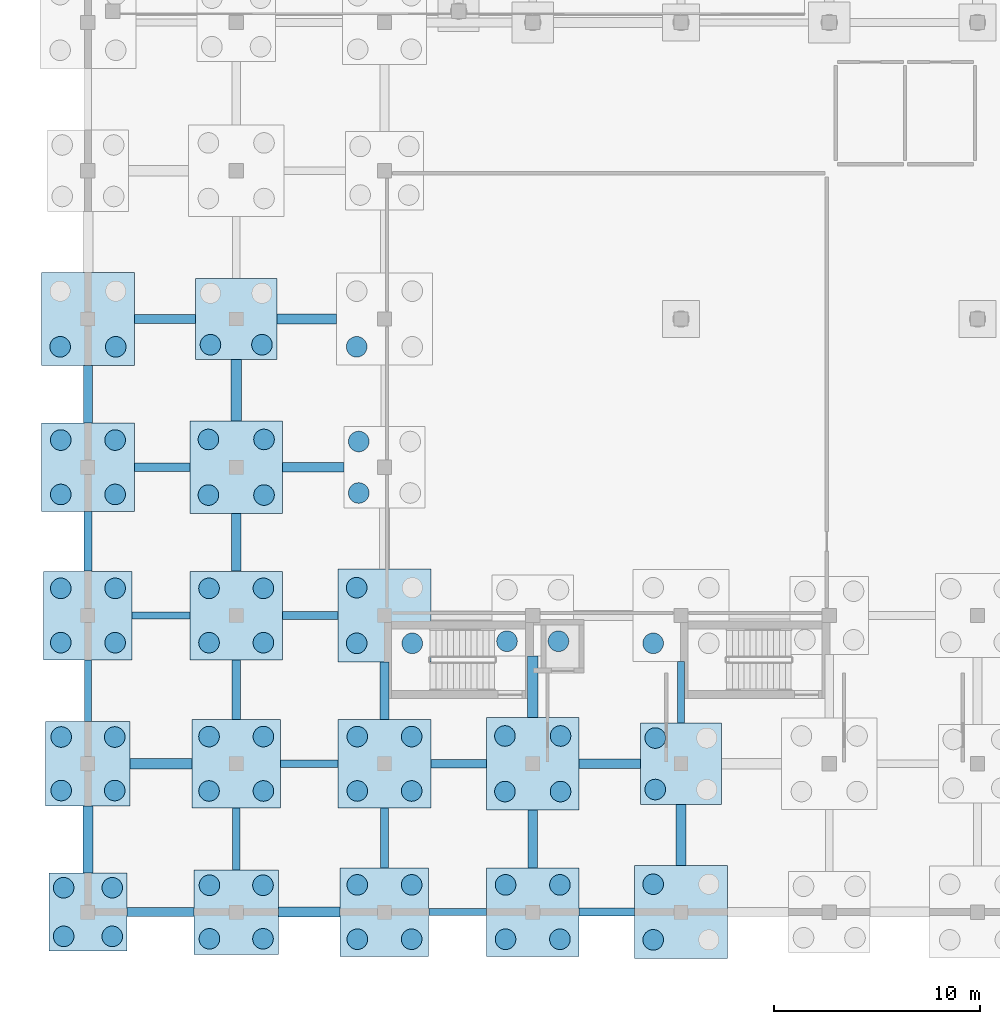
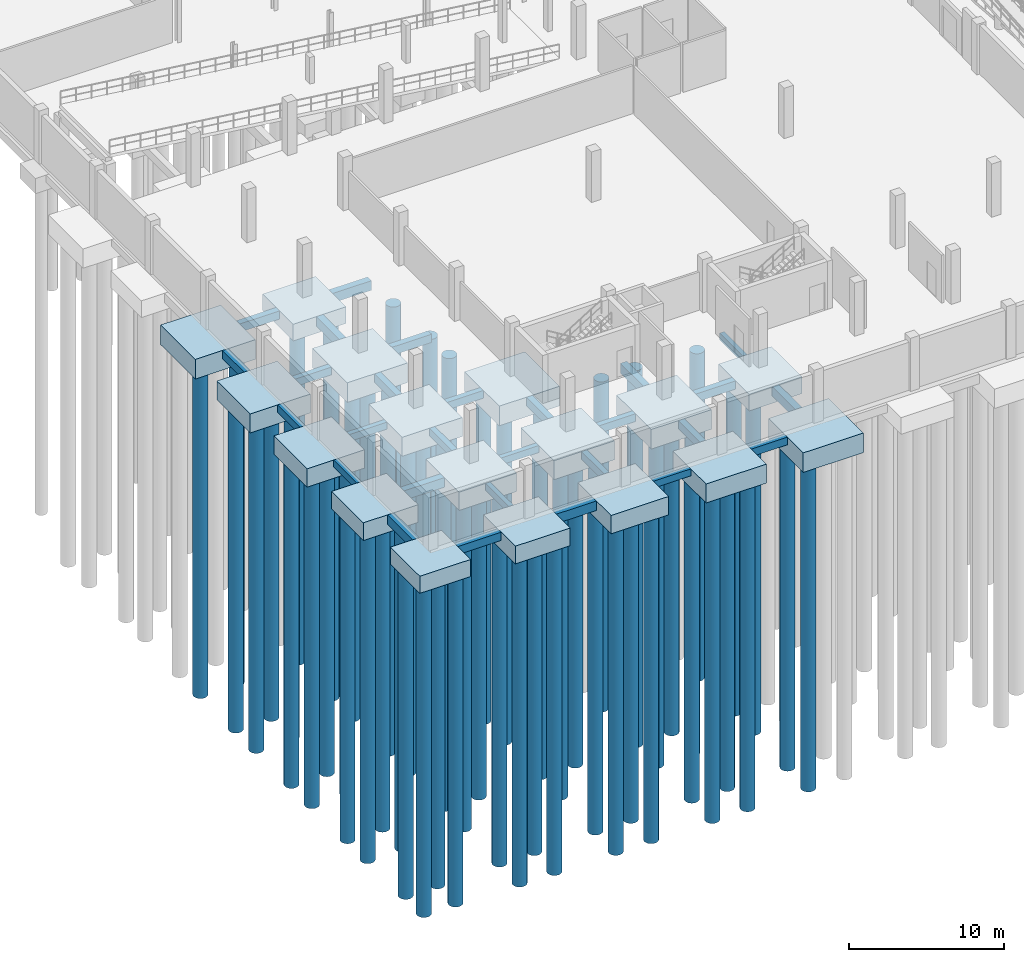
# One storey, part 1 of 56: 65 piles, 45 footings.
"""IFC4 building model written with IfcOpenShell, lengths in metres."""

from ifc_helpers import new_model, si_unit, direction, frame, origin, origin_2d, place, context, subcontext, project, spatial, rectangle, circle, extrude, material, material_profile, profile_set, type_object, element, save


model = new_model("IFC4")

# Units and contexts
model_context = context("Model", 3, precision=1e-05, world=origin(), true_north=direction((0.0, 1.0)))
body_context = subcontext(model_context, "Body", "Model", "MODEL_VIEW")
ifc_project = project(units=[si_unit("LENGTHUNIT", "METRE"), si_unit("AREAUNIT", "SQUARE_METRE"), si_unit("VOLUMEUNIT", "CUBIC_METRE"), si_unit("PLANEANGLEUNIT", "RADIAN"), si_unit("MASSUNIT", "GRAM", prefix="KILO")], contexts=[model_context])

# Site, building, storey
site_placement = place(None, origin())
site = spatial("IfcSite", under=ifc_project, at=site_placement, CompositionType="ELEMENT")
building_placement = place(site_placement, origin())
building = spatial("IfcBuilding", under=site, at=building_placement, Name="Suanplinth Sawtooth Commons", CompositionType="ELEMENT")
storey_placement = place(building_placement, frame((0.0, 0.0, -4.199951171875)))
storey = spatial("IfcBuildingStorey", under=building, at=storey_placement, Name="B1", CompositionType="ELEMENT", Elevation=-4.199951171875)

# Footings
ifc_material_1 = material(Name="Concrete C35/45", Category="concrete")
ifc_material_profile_1 = material_profile(ifc_material_1, rectangle(XDim=0.449951171875, YDim=0.64990234375, at=origin_2d()), Name="PC-GDR 450x650")
ifc_profile_set_1 = profile_set([ifc_material_profile_1], Name="Concrete C35/45")
footing_type_1 = type_object("IfcFootingType", Name="FB-01", PredefinedType="FOOTING_BEAM", material=ifc_profile_set_1)
footing_1_placement = place(storey_placement, frame((1.89990234375, 0.0, -0.824951171875), z_axis=(1.0, 0.0, 0.0), x_axis=(0.0, 1.0, 0.0)))
element("IfcFooting", 1, at=footing_1_placement, inside=storey, type_object=footing_type_1, Name="Foundation Tie Beam 1-2/A", PredefinedType="FOOTING_BEAM", context=body_context, shape_type="SweptSolid", body=[
    extrude(rectangle(XDim=0.449951171875, YDim=0.64990234375, at=origin_2d()), origin(), (0.0, 0.0, 1.0), 3.25),
])
footing_2_placement = place(storey_placement, frame((0.0, 23.75, -0.824951171875), z_axis=(0.0, 1.0, 0.0), x_axis=(-1.0, 0.0, 0.0)))
element("IfcFooting", 2, at=footing_2_placement, inside=storey, type_object=footing_type_1, Name="Foundation Tie Beam 1/D-E", PredefinedType="FOOTING_BEAM", context=body_context, shape_type="SweptSolid", body=[
    extrude(rectangle(XDim=0.449951171875, YDim=0.64990234375, at=origin_2d()), origin(), (0.0, 0.0, 1.0), 2.800048828125),
])
footing_3_placement = place(storey_placement, frame((2.25, 28.800048828125, -0.824951171875), z_axis=(1.0, 0.0, 0.0), x_axis=(0.0, 1.0, 0.0)))
element("IfcFooting", 3, at=footing_3_placement, inside=storey, type_object=footing_type_1, Name="Foundation Tie Beam 1-2/E", PredefinedType="FOOTING_BEAM", context=body_context, shape_type="SweptSolid", body=[
    extrude(rectangle(XDim=0.449951171875, YDim=0.64990234375, at=origin_2d()), origin(), (0.0, 0.0, 1.0), 2.97509765625),
])
footing_4_placement = place(storey_placement, frame((7.199951171875, 16.550048828125, -0.824951171875), z_axis=(0.0, 1.0, 0.0), x_axis=(-1.0, 0.0, 0.0)))
element("IfcFooting", 4, at=footing_4_placement, inside=storey, type_object=footing_type_1, Name="Foundation Tie Beam 2/C-D", PredefinedType="FOOTING_BEAM", context=body_context, shape_type="SweptSolid", body=[
    extrude(rectangle(XDim=0.449951171875, YDim=0.64990234375, at=origin_2d()), origin(), (0.0, 0.0, 1.0), 2.800048828125),
])
footing_5_placement = place(storey_placement, frame((9.449951171875, 21.60009765625, -0.824951171875), z_axis=(1.0, 0.0, 0.0), x_axis=(0.0, 1.0, 0.0)))
element("IfcFooting", 5, at=footing_5_placement, inside=storey, type_object=footing_type_1, Name="Foundation Tie Beam 2-3/D", PredefinedType="FOOTING_BEAM", context=body_context, shape_type="SweptSolid", body=[
    extrude(rectangle(XDim=0.449951171875, YDim=0.64990234375, at=origin_2d()), origin(), (0.0, 0.0, 1.0), 2.97509765625),
])
footing_6_placement = place(storey_placement, frame((14.39990234375, 9.35009765625, -0.824951171875), z_axis=(0.0, 1.0, 0.0), x_axis=(-1.0, 0.0, 0.0)))
element("IfcFooting", 6, at=footing_6_placement, inside=storey, type_object=footing_type_1, Name="Foundation Tie Beam 3/B-C", PredefinedType="FOOTING_BEAM", context=body_context, shape_type="SweptSolid", body=[
    extrude(rectangle(XDim=0.449951171875, YDim=0.64990234375, at=origin_2d()), origin(), (0.0, 0.0, 1.0), 2.7998046875),
])
footing_7_placement = place(storey_placement, frame((21.60009765625, 2.14990234375, -0.824951171875), z_axis=(0.0, 1.0, 0.0), x_axis=(-1.0, 0.0, 0.0)))
element("IfcFooting", 7, at=footing_7_placement, inside=storey, type_object=footing_type_1, Name="Foundation Tie Beam 4/A-B", PredefinedType="FOOTING_BEAM", context=body_context, shape_type="SweptSolid", body=[
    extrude(rectangle(XDim=0.449951171875, YDim=0.64990234375, at=origin_2d()), origin(), (0.0, 0.0, 1.0), 2.800048828125),
])
footing_8_placement = place(storey_placement, frame((23.85009765625, 7.199951171875, -0.824951171875), z_axis=(1.0, 0.0, 0.0), x_axis=(0.0, 1.0, 0.0)))
element("IfcFooting", 8, at=footing_8_placement, inside=storey, type_object=footing_type_1, Name="Foundation Tie Beam 4-5/B", PredefinedType="FOOTING_BEAM", context=body_context, shape_type="SweptSolid", body=[
    extrude(rectangle(XDim=0.449951171875, YDim=0.64990234375, at=origin_2d()), origin(), (0.0, 0.0, 1.0), 2.974853515625),
])
ifc_material_profile_2 = material_profile(ifc_material_1, rectangle(XDim=0.5, YDim=0.75, at=origin_2d()), Name="RC-GDR 500x750")
ifc_profile_set_2 = profile_set([ifc_material_profile_2], Name="Concrete C35/45")
footing_type_2 = type_object("IfcFootingType", Name="FB-02", PredefinedType="FOOTING_BEAM", material=ifc_profile_set_2)
footing_9_placement = place(storey_placement, frame((0.0, 1.89990234375, -0.875), z_axis=(0.0, 1.0, 0.0), x_axis=(-1.0, 0.0, 0.0)))
element("IfcFooting", 9, at=footing_9_placement, inside=storey, type_object=footing_type_2, Name="Foundation Tie Beam 1/A-B", PredefinedType="FOOTING_BEAM", context=body_context, shape_type="SweptSolid", body=[
    extrude(rectangle(XDim=0.5, YDim=0.75, at=origin_2d()), origin(), (0.0, 0.0, 1.0), 3.25),
])
for number, where, z_axis, x_axis, name in (
    (10, (2.050048828125, 7.199951171875, -0.875), (1.0, 0.0, 0.0), (0.0, 1.0, 0.0), "Foundation Tie Beam 1-2/B"),
    (11, (9.25, 0.0, -0.875), (1.0, 0.0, 0.0), (0.0, 1.0, 0.0), "Foundation Tie Beam 2-3/A"),
):
    element("IfcFooting", number, at=place(storey_placement, frame(where, z_axis=z_axis, x_axis=x_axis)), inside=storey, type_object=footing_type_2, Name=name, PredefinedType="FOOTING_BEAM", context=body_context, shape_type="SweptSolid", body=[
        extrude(rectangle(XDim=0.5, YDim=0.75, at=origin_2d()), origin(), (0.0, 0.0, 1.0), 3.0),
    ])
footing_10_placement = place(storey_placement, frame((7.199951171875, 23.85009765625, -0.875), z_axis=(0.0, 1.0, 0.0), x_axis=(-1.0, 0.0, 0.0)))
element("IfcFooting", 12, at=footing_10_placement, inside=storey, type_object=footing_type_2, Name="Foundation Tie Beam 2/D-E", PredefinedType="FOOTING_BEAM", context=body_context, shape_type="SweptSolid", body=[
    extrude(rectangle(XDim=0.5, YDim=0.75, at=origin_2d()), origin(), (0.0, 0.0, 1.0), 2.974853515625),
])
footing_11_placement = place(storey_placement, frame((9.175048828125, 28.800048828125, -0.875), z_axis=(1.0, 0.0, 0.0), x_axis=(0.0, 1.0, 0.0)))
element("IfcFooting", 13, at=footing_11_placement, inside=storey, type_object=footing_type_2, Name="Foundation Tie Beam 2-3/E", PredefinedType="FOOTING_BEAM", context=body_context, shape_type="SweptSolid", body=[
    extrude(rectangle(XDim=0.5, YDim=0.75, at=origin_2d()), origin(), (0.0, 0.0, 1.0), 2.89990234375),
])
for number, where, z_axis, x_axis, name in (
    (14, (21.60009765625, 9.449951171875, -0.875), (0.0, 1.0, 0.0), (-1.0, 0.0, 0.0), "Foundation Tie Beam 4/B-C"),
    (15, (28.800048828125, 2.25, -0.875), (0.0, 1.0, 0.0), (-1.0, 0.0, 0.0), "Foundation Tie Beam 5/A-B"),
):
    element("IfcFooting", number, at=place(storey_placement, frame(where, z_axis=z_axis, x_axis=x_axis)), inside=storey, type_object=footing_type_2, Name=name, PredefinedType="FOOTING_BEAM", context=body_context, shape_type="SweptSolid", body=[
        extrude(rectangle(XDim=0.5, YDim=0.75, at=origin_2d()), origin(), (0.0, 0.0, 1.0), 2.97509765625),
    ])
ifc_material_profile_3 = material_profile(ifc_material_1, rectangle(XDim=0.35009765625, YDim=0.550048828125, at=origin_2d()), Name="PC-BM 350x550")
ifc_profile_set_3 = profile_set([ifc_material_profile_3], Name="Concrete C35/45")
footing_type_3 = type_object("IfcFootingType", Name="FB-03", PredefinedType="FOOTING_BEAM", material=ifc_profile_set_3)
footing_12_placement = place(storey_placement, frame((0.0, 9.25, -0.775146484375), z_axis=(0.0, 1.0, 0.0), x_axis=(-1.0, 0.0, 0.0)))
element("IfcFooting", 16, at=footing_12_placement, inside=storey, type_object=footing_type_3, Name="Foundation Tie Beam 1/B-C", PredefinedType="FOOTING_BEAM", context=body_context, shape_type="SweptSolid", body=[
    extrude(rectangle(XDim=0.35009765625, YDim=0.550048828125, at=origin_2d()), origin(), (0.0, 0.0, 1.0), 3.0),
])
footing_13_placement = place(storey_placement, frame((2.14990234375, 14.39990234375, -0.775146484375), z_axis=(1.0, 0.0, 0.0), x_axis=(0.0, 1.0, 0.0)))
element("IfcFooting", 17, at=footing_13_placement, inside=storey, type_object=footing_type_3, Name="Foundation Tie Beam 1-2/C", PredefinedType="FOOTING_BEAM", context=body_context, shape_type="SweptSolid", body=[
    extrude(rectangle(XDim=0.35009765625, YDim=0.550048828125, at=origin_2d()), origin(), (0.0, 0.0, 1.0), 2.800048828125),
])
footing_14_placement = place(storey_placement, frame((7.199951171875, 2.050048828125, -0.775146484375), z_axis=(0.0, 1.0, 0.0), x_axis=(-1.0, 0.0, 0.0)))
element("IfcFooting", 18, at=footing_14_placement, inside=storey, type_object=footing_type_3, Name="Foundation Tie Beam 2/A-B", PredefinedType="FOOTING_BEAM", context=body_context, shape_type="SweptSolid", body=[
    extrude(rectangle(XDim=0.35009765625, YDim=0.550048828125, at=origin_2d()), origin(), (0.0, 0.0, 1.0), 3.0),
])
footing_15_placement = place(storey_placement, frame((9.35009765625, 7.199951171875, -0.775146484375), z_axis=(1.0, 0.0, 0.0), x_axis=(0.0, 1.0, 0.0)))
element("IfcFooting", 19, at=footing_15_placement, inside=storey, type_object=footing_type_3, Name="Foundation Tie Beam 2-3/B", PredefinedType="FOOTING_BEAM", context=body_context, shape_type="SweptSolid", body=[
    extrude(rectangle(XDim=0.35009765625, YDim=0.550048828125, at=origin_2d()), origin(), (0.0, 0.0, 1.0), 2.7998046875),
])
footing_16_placement = place(storey_placement, frame((16.550048828125, 0.0, -0.775146484375), z_axis=(1.0, 0.0, 0.0), x_axis=(0.0, 1.0, 0.0)))
element("IfcFooting", 20, at=footing_16_placement, inside=storey, type_object=footing_type_3, Name="Foundation Tie Beam 3-4/A", PredefinedType="FOOTING_BEAM", context=body_context, shape_type="SweptSolid", body=[
    extrude(rectangle(XDim=0.35009765625, YDim=0.550048828125, at=origin_2d()), origin(), (0.0, 0.0, 1.0), 2.800048828125),
])
footing_17_placement = place(storey_placement, frame((28.800048828125, 9.175048828125, -0.775146484375), z_axis=(0.0, 1.0, 0.0), x_axis=(-1.0, 0.0, 0.0)))
element("IfcFooting", 21, at=footing_17_placement, inside=storey, type_object=footing_type_3, Name="Foundation Tie Beam 5/B-C", PredefinedType="FOOTING_BEAM", context=body_context, shape_type="SweptSolid", body=[
    extrude(rectangle(XDim=0.35009765625, YDim=0.550048828125, at=origin_2d()), origin(), (0.0, 0.0, 1.0), 3.0),
])
ifc_material_profile_4 = material_profile(ifc_material_1, rectangle(XDim=0.39990234375, YDim=0.60009765625, at=origin_2d()), Name="PC-GDR 400x600")
ifc_profile_set_4 = profile_set([ifc_material_profile_4], Name="Concrete C35/45")
footing_type_4 = type_object("IfcFootingType", Name="FB-04", PredefinedType="FOOTING_BEAM", material=ifc_profile_set_4)
footing_18_placement = place(storey_placement, frame((0.0, 16.550048828125, -0.800048828125), z_axis=(0.0, 1.0, 0.0), x_axis=(-1.0, 0.0, 0.0)))
element("IfcFooting", 22, at=footing_18_placement, inside=storey, type_object=footing_type_4, Name="Foundation Tie Beam 1/C-D", PredefinedType="FOOTING_BEAM", context=body_context, shape_type="SweptSolid", body=[
    extrude(rectangle(XDim=0.39990234375, YDim=0.60009765625, at=origin_2d()), origin(), (0.0, 0.0, 1.0), 2.89990234375),
])
footing_19_placement = place(storey_placement, frame((2.25, 21.60009765625, -0.800048828125), z_axis=(1.0, 0.0, 0.0), x_axis=(0.0, 1.0, 0.0)))
element("IfcFooting", 23, at=footing_19_placement, inside=storey, type_object=footing_type_4, Name="Foundation Tie Beam 1-2/D", PredefinedType="FOOTING_BEAM", context=body_context, shape_type="SweptSolid", body=[
    extrude(rectangle(XDim=0.39990234375, YDim=0.60009765625, at=origin_2d()), origin(), (0.0, 0.0, 1.0), 2.699951171875),
])
footing_20_placement = place(storey_placement, frame((7.199951171875, 9.35009765625, -0.800048828125), z_axis=(0.0, 1.0, 0.0), x_axis=(-1.0, 0.0, 0.0)))
element("IfcFooting", 24, at=footing_20_placement, inside=storey, type_object=footing_type_4, Name="Foundation Tie Beam 2/B-C", PredefinedType="FOOTING_BEAM", context=body_context, shape_type="SweptSolid", body=[
    extrude(rectangle(XDim=0.39990234375, YDim=0.60009765625, at=origin_2d()), origin(), (0.0, 0.0, 1.0), 2.89990234375),
])
footing_21_placement = place(storey_placement, frame((9.449951171875, 14.39990234375, -0.800048828125), z_axis=(1.0, 0.0, 0.0), x_axis=(0.0, 1.0, 0.0)))
element("IfcFooting", 25, at=footing_21_placement, inside=storey, type_object=footing_type_4, Name="Foundation Tie Beam 2-3/C", PredefinedType="FOOTING_BEAM", context=body_context, shape_type="SweptSolid", body=[
    extrude(rectangle(XDim=0.39990234375, YDim=0.60009765625, at=origin_2d()), origin(), (0.0, 0.0, 1.0), 2.699951171875),
])
footing_22_placement = place(storey_placement, frame((14.39990234375, 2.14990234375, -0.800048828125), z_axis=(0.0, 1.0, 0.0), x_axis=(-1.0, 0.0, 0.0)))
element("IfcFooting", 26, at=footing_22_placement, inside=storey, type_object=footing_type_4, Name="Foundation Tie Beam 3/A-B", PredefinedType="FOOTING_BEAM", context=body_context, shape_type="SweptSolid", body=[
    extrude(rectangle(XDim=0.39990234375, YDim=0.60009765625, at=origin_2d()), origin(), (0.0, 0.0, 1.0), 2.900146484375),
])
footing_23_placement = place(storey_placement, frame((16.64990234375, 7.199951171875, -0.800048828125), z_axis=(1.0, 0.0, 0.0), x_axis=(0.0, 1.0, 0.0)))
element("IfcFooting", 27, at=footing_23_placement, inside=storey, type_object=footing_type_4, Name="Foundation Tie Beam 3-4/B", PredefinedType="FOOTING_BEAM", context=body_context, shape_type="SweptSolid", body=[
    extrude(rectangle(XDim=0.39990234375, YDim=0.60009765625, at=origin_2d()), origin(), (0.0, 0.0, 1.0), 2.7001953125),
])
footing_24_placement = place(storey_placement, frame((23.85009765625, 0.0, -0.800048828125), z_axis=(1.0, 0.0, 0.0), x_axis=(0.0, 1.0, 0.0)))
element("IfcFooting", 28, at=footing_24_placement, inside=storey, type_object=footing_type_4, Name="Foundation Tie Beam 4-5/A", PredefinedType="FOOTING_BEAM", context=body_context, shape_type="SweptSolid", body=[
    extrude(rectangle(XDim=0.39990234375, YDim=0.60009765625, at=origin_2d()), origin(), (0.0, 0.0, 1.0), 2.699951171875),
])
footing_type_5 = type_object("IfcFootingType", Name="FC-06", PredefinedType="PILE_CAP", material=ifc_material_1)
footing_25_placement = place(storey_placement, frame((0.0, 0.0, -1.85009765625), z_axis=(0.0, 0.0, 1.0), x_axis=(1.0, 0.0, 0.0)))
element("IfcFooting", 29, at=footing_25_placement, inside=storey, type_object=footing_type_5, Name="Pile Cap 1/A", PredefinedType="PILE_CAP", context=body_context, shape_type="SweptSolid", body=[
    extrude(rectangle(XDim=3.800048828125, YDim=3.800048828125, at=origin_2d()), origin(), (0.0, 0.0, 1.0), 1.35009765625),
])
footing_type_6 = type_object("IfcFootingType", Name="FC-07", PredefinedType="PILE_CAP", material=ifc_material_1)
for number, where, z_axis, x_axis, name in (
    (30, (0.0, 7.199951171875, -1.89990234375), (0.0, 0.0, 1.0), (1.0, 0.0, 0.0), "Pile Cap 1/B"),
    (31, (7.199951171875, 0.0, -1.89990234375), (0.0, 0.0, 1.0), (1.0, 0.0, 0.0), "Pile Cap 2/A"),
):
    element("IfcFooting", number, at=place(storey_placement, frame(where, z_axis=z_axis, x_axis=x_axis)), inside=storey, type_object=footing_type_6, Name=name, PredefinedType="PILE_CAP", context=body_context, shape_type="SweptSolid", body=[
        extrude(rectangle(XDim=4.10009765625, YDim=4.10009765625, at=origin_2d()), origin(), (0.0, 0.0, 1.0), 1.39990234375),
    ])
footing_type_7 = type_object("IfcFootingType", Name="FC-08", PredefinedType="PILE_CAP", material=ifc_material_1)
for number, where, z_axis, x_axis, name in (
    (32, (0.0, 14.39990234375, -1.9501953125), (0.0, 0.0, 1.0), (1.0, 0.0, 0.0), "Pile Cap 1/C"),
    (33, (7.199951171875, 7.199951171875, -1.9501953125), (0.0, 0.0, 1.0), (1.0, 0.0, 0.0), "Pile Cap 2/B"),
    (34, (14.39990234375, 0.0, -1.9501953125), (0.0, 0.0, 1.0), (1.0, 0.0, 0.0), "Pile Cap 3/A"),
):
    element("IfcFooting", number, at=place(storey_placement, frame(where, z_axis=z_axis, x_axis=x_axis)), inside=storey, type_object=footing_type_7, Name=name, PredefinedType="PILE_CAP", context=body_context, shape_type="SweptSolid", body=[
        extrude(rectangle(XDim=4.300048828125, YDim=4.300048828125, at=origin_2d()), origin(), (0.0, 0.0, 1.0), 1.449951171875),
    ])
footing_type_8 = type_object("IfcFootingType", Name="FC-09", PredefinedType="PILE_CAP", material=ifc_material_1)
for number, where, z_axis, x_axis, name in (
    (35, (0.0, 21.60009765625, -2.0), (0.0, 0.0, 1.0), (1.0, 0.0, 0.0), "Pile Cap 1/D"),
    (36, (7.199951171875, 14.39990234375, -2.0), (0.0, 0.0, 1.0), (1.0, 0.0, 0.0), "Pile Cap 2/C"),
    (37, (14.39990234375, 7.199951171875, -2.0), (0.0, 0.0, 1.0), (1.0, 0.0, 0.0), "Pile Cap 3/B"),
    (38, (21.60009765625, 0.0, -2.0), (0.0, 0.0, 1.0), (1.0, 0.0, 0.0), "Pile Cap 4/A"),
):
    element("IfcFooting", number, at=place(storey_placement, frame(where, z_axis=z_axis, x_axis=x_axis)), inside=storey, type_object=footing_type_8, Name=name, PredefinedType="PILE_CAP", context=body_context, shape_type="SweptSolid", body=[
        extrude(rectangle(XDim=4.5, YDim=4.300048828125, at=origin_2d()), origin(), (0.0, 0.0, 1.0), 1.5),
    ])
footing_type_9 = type_object("IfcFootingType", Name="FC-10", PredefinedType="PILE_CAP", material=ifc_material_1)
for number, where, z_axis, x_axis, name in (
    (39, (0.0, 28.800048828125, -2.05029296875), (0.0, 0.0, 1.0), (1.0, 0.0, 0.0), "Pile Cap 1/E"),
    (40, (7.199951171875, 21.60009765625, -2.05029296875), (0.0, 0.0, 1.0), (1.0, 0.0, 0.0), "Pile Cap 2/D"),
    (41, (14.39990234375, 14.39990234375, -2.05029296875), (0.0, 0.0, 1.0), (1.0, 0.0, 0.0), "Pile Cap 3/C"),
    (42, (21.60009765625, 7.199951171875, -2.05029296875), (0.0, 0.0, 1.0), (1.0, 0.0, 0.0), "Pile Cap 4/B"),
    (43, (28.800048828125, 0.0, -2.05029296875), (0.0, 0.0, 1.0), (1.0, 0.0, 0.0), "Pile Cap 5/A"),
):
    element("IfcFooting", number, at=place(storey_placement, frame(where, z_axis=z_axis, x_axis=x_axis)), inside=storey, type_object=footing_type_9, Name=name, PredefinedType="PILE_CAP", context=body_context, shape_type="SweptSolid", body=[
        extrude(rectangle(XDim=4.5, YDim=4.5, at=origin_2d()), origin(), (0.0, 0.0, 1.0), 1.550048828125),
    ])
footing_type_10 = type_object("IfcFootingType", Name="FC-15", PredefinedType="PILE_CAP", material=ifc_material_1)
for number, where, z_axis, x_axis, name in (
    (44, (7.199951171875, 28.800048828125, -1.8203125), (0.0, 0.0, 1.0), (1.0, 0.0, 0.0), "Pile Cap 2/E"),
    (45, (28.800048828125, 7.199951171875, -1.8203125), (0.0, 0.0, 1.0), (1.0, 0.0, 0.0), "Pile Cap 5/B"),
):
    element("IfcFooting", number, at=place(storey_placement, frame(where, z_axis=z_axis, x_axis=x_axis)), inside=storey, type_object=footing_type_10, Name=name, PredefinedType="PILE_CAP", context=body_context, shape_type="SweptSolid", body=[
        extrude(rectangle(XDim=3.949951171875, YDim=3.949951171875, at=origin_2d()), origin(), (0.0, 0.0, 1.0), 1.320068359375),
    ])

# Piles
ifc_material_2 = material(Name="Concrete C32/40", Category="concrete")
ifc_material_profile_5 = material_profile(ifc_material_2, circle(Radius=0.5, at=origin_2d()), Name="PILE D1000")
ifc_profile_set_5 = profile_set([ifc_material_profile_5], Name="Concrete C32/40")
pile_type = type_object("IfcPileType", Name="P-02", PredefinedType="BORED", material=ifc_profile_set_5)
for number, where, z_axis, x_axis, name in (
    (46, (-1.179931640625, -1.179931640625, -1.75), (0.0, 0.0, -1.0), (1.0, 0.0, 0.0), "Bored Pile 1/A-1"),
    (47, (1.179931640625, -1.179931640625, -1.75), (0.0, 0.0, -1.0), (1.0, 0.0, 0.0), "Bored Pile 1/A-2"),
    (48, (-1.179931640625, 1.179931640625, -1.75), (0.0, 0.0, -1.0), (1.0, 0.0, 0.0), "Bored Pile 1/A-3"),
    (49, (1.179931640625, 1.179931640625, -1.75), (0.0, 0.0, -1.0), (1.0, 0.0, 0.0), "Bored Pile 1/A-4"),
):
    element("IfcPile", number, at=place(storey_placement, frame(where, z_axis=z_axis, x_axis=x_axis)), inside=storey, type_object=pile_type, Name=name, PredefinedType="BORED", context=body_context, shape_type="SweptSolid", body=[
        extrude(circle(Radius=0.5, at=origin_2d()), origin(), (0.0, 0.0, 1.0), 26.050048828125),
    ])
for number, where, z_axis, x_axis, name in (
    (50, (-1.300048828125, 5.89990234375, -1.800048828125), (0.0, 0.0, -1.0), (1.0, 0.0, 0.0), "Bored Pile 1/B-1"),
    (51, (1.300048828125, 5.89990234375, -1.800048828125), (0.0, 0.0, -1.0), (1.0, 0.0, 0.0), "Bored Pile 1/B-2"),
    (52, (-1.300048828125, 8.5, -1.800048828125), (0.0, 0.0, -1.0), (1.0, 0.0, 0.0), "Bored Pile 1/B-3"),
    (53, (1.300048828125, 8.5, -1.800048828125), (0.0, 0.0, -1.0), (1.0, 0.0, 0.0), "Bored Pile 1/B-4"),
):
    element("IfcPile", number, at=place(storey_placement, frame(where, z_axis=z_axis, x_axis=x_axis)), inside=storey, type_object=pile_type, Name=name, PredefinedType="BORED", context=body_context, shape_type="SweptSolid", body=[
        extrude(circle(Radius=0.5, at=origin_2d()), origin(), (0.0, 0.0, 1.0), 26.0),
    ])
for number, where, z_axis, x_axis, name in (
    (54, (-1.320068359375, 13.080078125, -1.85009765625), (0.0, 0.0, -1.0), (1.0, 0.0, 0.0), "Bored Pile 1/C-1"),
    (55, (1.320068359375, 13.080078125, -1.85009765625), (0.0, 0.0, -1.0), (1.0, 0.0, 0.0), "Bored Pile 1/C-2"),
    (56, (-1.320068359375, 15.719970703125, -1.85009765625), (0.0, 0.0, -1.0), (1.0, 0.0, 0.0), "Bored Pile 1/C-3"),
    (57, (1.320068359375, 15.719970703125, -1.85009765625), (0.0, 0.0, -1.0), (1.0, 0.0, 0.0), "Bored Pile 1/C-4"),
):
    element("IfcPile", number, at=place(storey_placement, frame(where, z_axis=z_axis, x_axis=x_axis)), inside=storey, type_object=pile_type, Name=name, PredefinedType="BORED", context=body_context, shape_type="SweptSolid", body=[
        extrude(circle(Radius=0.5, at=origin_2d()), origin(), (0.0, 0.0, 1.0), 25.949951171875),
    ])
for number, where, z_axis, x_axis, name in (
    (58, (-1.320068359375, 20.280029296875, -1.900146484375), (0.0, 0.0, -1.0), (1.0, 0.0, 0.0), "Bored Pile 1/D-1"),
    (59, (1.320068359375, 20.280029296875, -1.900146484375), (0.0, 0.0, -1.0), (1.0, 0.0, 0.0), "Bored Pile 1/D-2"),
    (60, (-1.320068359375, 22.919921875, -1.900146484375), (0.0, 0.0, -1.0), (1.0, 0.0, 0.0), "Bored Pile 1/D-3"),
    (61, (1.320068359375, 22.919921875, -1.900146484375), (0.0, 0.0, -1.0), (1.0, 0.0, 0.0), "Bored Pile 1/D-4"),
):
    element("IfcPile", number, at=place(storey_placement, frame(where, z_axis=z_axis, x_axis=x_axis)), inside=storey, type_object=pile_type, Name=name, PredefinedType="BORED", context=body_context, shape_type="SweptSolid", body=[
        extrude(circle(Radius=0.5, at=origin_2d()), origin(), (0.0, 0.0, 1.0), 25.89990234375),
    ])
for number, where, z_axis, x_axis, name in (
    (62, (-1.35009765625, 27.449951171875, -1.949951171875), (0.0, 0.0, -1.0), (1.0, 0.0, 0.0), "Bored Pile 1/E-1"),
    (63, (1.35009765625, 27.449951171875, -1.949951171875), (0.0, 0.0, -1.0), (1.0, 0.0, 0.0), "Bored Pile 1/E-2"),
):
    element("IfcPile", number, at=place(storey_placement, frame(where, z_axis=z_axis, x_axis=x_axis)), inside=storey, type_object=pile_type, Name=name, PredefinedType="BORED", context=body_context, shape_type="SweptSolid", body=[
        extrude(circle(Radius=0.5, at=origin_2d()), origin(), (0.0, 0.0, 1.0), 25.85009765625),
    ])
for number, where, z_axis, x_axis, name in (
    (64, (5.89990234375, -1.300048828125, -1.800048828125), (0.0, 0.0, -1.0), (1.0, 0.0, 0.0), "Bored Pile 2/A-1"),
    (65, (8.5, -1.300048828125, -1.800048828125), (0.0, 0.0, -1.0), (1.0, 0.0, 0.0), "Bored Pile 2/A-2"),
    (66, (5.89990234375, 1.300048828125, -1.800048828125), (0.0, 0.0, -1.0), (1.0, 0.0, 0.0), "Bored Pile 2/A-3"),
    (67, (8.5, 1.300048828125, -1.800048828125), (0.0, 0.0, -1.0), (1.0, 0.0, 0.0), "Bored Pile 2/A-4"),
):
    element("IfcPile", number, at=place(storey_placement, frame(where, z_axis=z_axis, x_axis=x_axis)), inside=storey, type_object=pile_type, Name=name, PredefinedType="BORED", context=body_context, shape_type="SweptSolid", body=[
        extrude(circle(Radius=0.5, at=origin_2d()), origin(), (0.0, 0.0, 1.0), 26.0),
    ])
for number, where, z_axis, x_axis, name in (
    (68, (5.8798828125, 5.8798828125, -1.85009765625), (0.0, 0.0, -1.0), (1.0, 0.0, 0.0), "Bored Pile 2/B-1"),
    (69, (8.52001953125, 5.8798828125, -1.85009765625), (0.0, 0.0, -1.0), (1.0, 0.0, 0.0), "Bored Pile 2/B-2"),
    (70, (5.8798828125, 8.52001953125, -1.85009765625), (0.0, 0.0, -1.0), (1.0, 0.0, 0.0), "Bored Pile 2/B-3"),
    (71, (8.52001953125, 8.52001953125, -1.85009765625), (0.0, 0.0, -1.0), (1.0, 0.0, 0.0), "Bored Pile 2/B-4"),
):
    element("IfcPile", number, at=place(storey_placement, frame(where, z_axis=z_axis, x_axis=x_axis)), inside=storey, type_object=pile_type, Name=name, PredefinedType="BORED", context=body_context, shape_type="SweptSolid", body=[
        extrude(circle(Radius=0.5, at=origin_2d()), origin(), (0.0, 0.0, 1.0), 25.949951171875),
    ])
for number, where, z_axis, x_axis, name in (
    (72, (5.8798828125, 13.080078125, -1.900146484375), (0.0, 0.0, -1.0), (1.0, 0.0, 0.0), "Bored Pile 2/C-1"),
    (73, (8.52001953125, 13.080078125, -1.900146484375), (0.0, 0.0, -1.0), (1.0, 0.0, 0.0), "Bored Pile 2/C-2"),
    (74, (5.8798828125, 15.719970703125, -1.900146484375), (0.0, 0.0, -1.0), (1.0, 0.0, 0.0), "Bored Pile 2/C-3"),
    (75, (8.52001953125, 15.719970703125, -1.900146484375), (0.0, 0.0, -1.0), (1.0, 0.0, 0.0), "Bored Pile 2/C-4"),
):
    element("IfcPile", number, at=place(storey_placement, frame(where, z_axis=z_axis, x_axis=x_axis)), inside=storey, type_object=pile_type, Name=name, PredefinedType="BORED", context=body_context, shape_type="SweptSolid", body=[
        extrude(circle(Radius=0.5, at=origin_2d()), origin(), (0.0, 0.0, 1.0), 25.89990234375),
    ])
for number, where, z_axis, x_axis, name in (
    (76, (5.85009765625, 20.25, -1.949951171875), (0.0, 0.0, -1.0), (1.0, 0.0, 0.0), "Bored Pile 2/D-1"),
    (77, (8.550048828125, 20.25, -1.949951171875), (0.0, 0.0, -1.0), (1.0, 0.0, 0.0), "Bored Pile 2/D-2"),
    (78, (5.85009765625, 22.949951171875, -1.949951171875), (0.0, 0.0, -1.0), (1.0, 0.0, 0.0), "Bored Pile 2/D-3"),
    (79, (8.550048828125, 22.949951171875, -1.949951171875), (0.0, 0.0, -1.0), (1.0, 0.0, 0.0), "Bored Pile 2/D-4"),
):
    element("IfcPile", number, at=place(storey_placement, frame(where, z_axis=z_axis, x_axis=x_axis)), inside=storey, type_object=pile_type, Name=name, PredefinedType="BORED", context=body_context, shape_type="SweptSolid", body=[
        extrude(circle(Radius=0.5, at=origin_2d()), origin(), (0.0, 0.0, 1.0), 25.85009765625),
    ])
for number, where, z_axis, x_axis, name in (
    (80, (5.949951171875, 27.550048828125, -1.719970703125), (0.0, 0.0, -1.0), (1.0, 0.0, 0.0), "Bored Pile 2/E-1"),
    (81, (8.449951171875, 27.550048828125, -1.719970703125), (0.0, 0.0, -1.0), (1.0, 0.0, 0.0), "Bored Pile 2/E-2"),
):
    element("IfcPile", number, at=place(storey_placement, frame(where, z_axis=z_axis, x_axis=x_axis)), inside=storey, type_object=pile_type, Name=name, PredefinedType="BORED", context=body_context, shape_type="SweptSolid", body=[
        extrude(circle(Radius=0.5, at=origin_2d()), origin(), (0.0, 0.0, 1.0), 26.080078125),
    ])
for number, where, z_axis, x_axis, name in (
    (82, (13.080078125, -1.320068359375, -1.85009765625), (0.0, 0.0, -1.0), (1.0, 0.0, 0.0), "Bored Pile 3/A-1"),
    (83, (15.719970703125, -1.320068359375, -1.85009765625), (0.0, 0.0, -1.0), (1.0, 0.0, 0.0), "Bored Pile 3/A-2"),
    (84, (13.080078125, 1.320068359375, -1.85009765625), (0.0, 0.0, -1.0), (1.0, 0.0, 0.0), "Bored Pile 3/A-3"),
    (85, (15.719970703125, 1.320068359375, -1.85009765625), (0.0, 0.0, -1.0), (1.0, 0.0, 0.0), "Bored Pile 3/A-4"),
):
    element("IfcPile", number, at=place(storey_placement, frame(where, z_axis=z_axis, x_axis=x_axis)), inside=storey, type_object=pile_type, Name=name, PredefinedType="BORED", context=body_context, shape_type="SweptSolid", body=[
        extrude(circle(Radius=0.5, at=origin_2d()), origin(), (0.0, 0.0, 1.0), 25.949951171875),
    ])
for number, where, z_axis, x_axis, name in (
    (86, (13.080078125, 5.8798828125, -1.900146484375), (0.0, 0.0, -1.0), (1.0, 0.0, 0.0), "Bored Pile 3/B-1"),
    (87, (15.719970703125, 5.8798828125, -1.900146484375), (0.0, 0.0, -1.0), (1.0, 0.0, 0.0), "Bored Pile 3/B-2"),
    (88, (13.080078125, 8.52001953125, -1.900146484375), (0.0, 0.0, -1.0), (1.0, 0.0, 0.0), "Bored Pile 3/B-3"),
    (89, (15.719970703125, 8.52001953125, -1.900146484375), (0.0, 0.0, -1.0), (1.0, 0.0, 0.0), "Bored Pile 3/B-4"),
):
    element("IfcPile", number, at=place(storey_placement, frame(where, z_axis=z_axis, x_axis=x_axis)), inside=storey, type_object=pile_type, Name=name, PredefinedType="BORED", context=body_context, shape_type="SweptSolid", body=[
        extrude(circle(Radius=0.5, at=origin_2d()), origin(), (0.0, 0.0, 1.0), 25.89990234375),
    ])
for number, where, z_axis, x_axis, name in (
    (90, (13.050048828125, 13.050048828125, -1.949951171875), (0.0, 0.0, -1.0), (1.0, 0.0, 0.0), "Bored Pile 3/C-1"),
    (91, (15.75, 13.050048828125, -1.949951171875), (0.0, 0.0, -1.0), (1.0, 0.0, 0.0), "Bored Pile 3/C-2"),
    (92, (13.050048828125, 15.75, -1.949951171875), (0.0, 0.0, -1.0), (1.0, 0.0, 0.0), "Bored Pile 3/C-3"),
):
    element("IfcPile", number, at=place(storey_placement, frame(where, z_axis=z_axis, x_axis=x_axis)), inside=storey, type_object=pile_type, Name=name, PredefinedType="BORED", context=body_context, shape_type="SweptSolid", body=[
        extrude(circle(Radius=0.5, at=origin_2d()), origin(), (0.0, 0.0, 1.0), 25.85009765625),
    ])
for number, where, z_axis, x_axis, name in (
    (93, (13.14990234375, 20.35009765625, -1.719970703125), (0.0, 0.0, -1.0), (1.0, 0.0, 0.0), "Bored Pile 3/D-1"),
    (94, (13.14990234375, 22.85009765625, -1.719970703125), (0.0, 0.0, -1.0), (1.0, 0.0, 0.0), "Bored Pile 3/D-3"),
):
    element("IfcPile", number, at=place(storey_placement, frame(where, z_axis=z_axis, x_axis=x_axis)), inside=storey, type_object=pile_type, Name=name, PredefinedType="BORED", context=body_context, shape_type="SweptSolid", body=[
        extrude(circle(Radius=0.5, at=origin_2d()), origin(), (0.0, 0.0, 1.0), 26.080078125),
    ])
pile_1_placement = place(storey_placement, frame((13.050048828125, 27.449951171875, -1.920166015625), z_axis=(0.0, 0.0, -1.0), x_axis=(1.0, 0.0, 0.0)))
element("IfcPile", 95, at=pile_1_placement, inside=storey, type_object=pile_type, Name="Bored Pile 3/E-1", PredefinedType="BORED", context=body_context, shape_type="SweptSolid", body=[
    extrude(circle(Radius=0.5, at=origin_2d()), origin(), (0.0, 0.0, 1.0), 25.8798828125),
])
for number, where, z_axis, x_axis, name in (
    (96, (20.280029296875, -1.320068359375, -1.900146484375), (0.0, 0.0, -1.0), (1.0, 0.0, 0.0), "Bored Pile 4/A-1"),
    (97, (22.919921875, -1.320068359375, -1.900146484375), (0.0, 0.0, -1.0), (1.0, 0.0, 0.0), "Bored Pile 4/A-2"),
    (98, (20.280029296875, 1.320068359375, -1.900146484375), (0.0, 0.0, -1.0), (1.0, 0.0, 0.0), "Bored Pile 4/A-3"),
    (99, (22.919921875, 1.320068359375, -1.900146484375), (0.0, 0.0, -1.0), (1.0, 0.0, 0.0), "Bored Pile 4/A-4"),
):
    element("IfcPile", number, at=place(storey_placement, frame(where, z_axis=z_axis, x_axis=x_axis)), inside=storey, type_object=pile_type, Name=name, PredefinedType="BORED", context=body_context, shape_type="SweptSolid", body=[
        extrude(circle(Radius=0.5, at=origin_2d()), origin(), (0.0, 0.0, 1.0), 25.89990234375),
    ])
for number, where, z_axis, x_axis, name in (
    (100, (20.25, 5.85009765625, -1.949951171875), (0.0, 0.0, -1.0), (1.0, 0.0, 0.0), "Bored Pile 4/B-1"),
    (101, (22.949951171875, 5.85009765625, -1.949951171875), (0.0, 0.0, -1.0), (1.0, 0.0, 0.0), "Bored Pile 4/B-2"),
    (102, (20.25, 8.550048828125, -1.949951171875), (0.0, 0.0, -1.0), (1.0, 0.0, 0.0), "Bored Pile 4/B-3"),
    (103, (22.949951171875, 8.550048828125, -1.949951171875), (0.0, 0.0, -1.0), (1.0, 0.0, 0.0), "Bored Pile 4/B-4"),
):
    element("IfcPile", number, at=place(storey_placement, frame(where, z_axis=z_axis, x_axis=x_axis)), inside=storey, type_object=pile_type, Name=name, PredefinedType="BORED", context=body_context, shape_type="SweptSolid", body=[
        extrude(circle(Radius=0.5, at=origin_2d()), origin(), (0.0, 0.0, 1.0), 25.85009765625),
    ])
for number, where, z_axis, x_axis, name in (
    (104, (20.35009765625, 13.14990234375, -1.719970703125), (0.0, 0.0, -1.0), (1.0, 0.0, 0.0), "Bored Pile 4/C-1"),
    (105, (22.85009765625, 13.14990234375, -1.719970703125), (0.0, 0.0, -1.0), (1.0, 0.0, 0.0), "Bored Pile 4/C-2"),
):
    element("IfcPile", number, at=place(storey_placement, frame(where, z_axis=z_axis, x_axis=x_axis)), inside=storey, type_object=pile_type, Name=name, PredefinedType="BORED", context=body_context, shape_type="SweptSolid", body=[
        extrude(circle(Radius=0.5, at=origin_2d()), origin(), (0.0, 0.0, 1.0), 26.080078125),
    ])
for number, where, z_axis, x_axis, name in (
    (106, (27.449951171875, -1.35009765625, -1.949951171875), (0.0, 0.0, -1.0), (1.0, 0.0, 0.0), "Bored Pile 5/A-1"),
    (107, (27.449951171875, 1.35009765625, -1.949951171875), (0.0, 0.0, -1.0), (1.0, 0.0, 0.0), "Bored Pile 5/A-3"),
):
    element("IfcPile", number, at=place(storey_placement, frame(where, z_axis=z_axis, x_axis=x_axis)), inside=storey, type_object=pile_type, Name=name, PredefinedType="BORED", context=body_context, shape_type="SweptSolid", body=[
        extrude(circle(Radius=0.5, at=origin_2d()), origin(), (0.0, 0.0, 1.0), 25.85009765625),
    ])
for number, where, z_axis, x_axis, name in (
    (108, (27.550048828125, 5.949951171875, -1.719970703125), (0.0, 0.0, -1.0), (1.0, 0.0, 0.0), "Bored Pile 5/B-1"),
    (109, (27.550048828125, 8.449951171875, -1.719970703125), (0.0, 0.0, -1.0), (1.0, 0.0, 0.0), "Bored Pile 5/B-3"),
):
    element("IfcPile", number, at=place(storey_placement, frame(where, z_axis=z_axis, x_axis=x_axis)), inside=storey, type_object=pile_type, Name=name, PredefinedType="BORED", context=body_context, shape_type="SweptSolid", body=[
        extrude(circle(Radius=0.5, at=origin_2d()), origin(), (0.0, 0.0, 1.0), 26.080078125),
    ])
pile_2_placement = place(storey_placement, frame((27.449951171875, 13.050048828125, -1.920166015625), z_axis=(0.0, 0.0, -1.0), x_axis=(1.0, 0.0, 0.0)))
element("IfcPile", 110, at=pile_2_placement, inside=storey, type_object=pile_type, Name="Bored Pile 5/C-1", PredefinedType="BORED", context=body_context, shape_type="SweptSolid", body=[
    extrude(circle(Radius=0.5, at=origin_2d()), origin(), (0.0, 0.0, 1.0), 25.8798828125),
])

save(model, "model.ifc")
